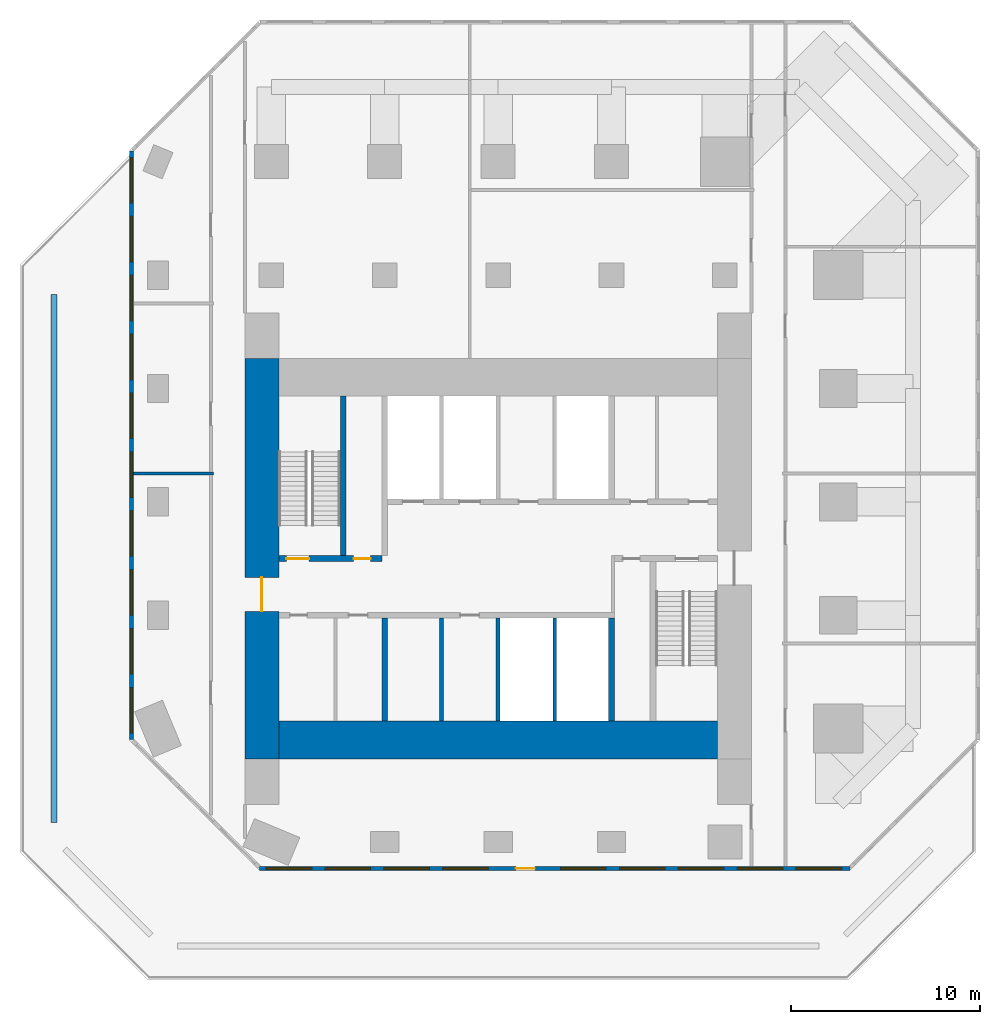
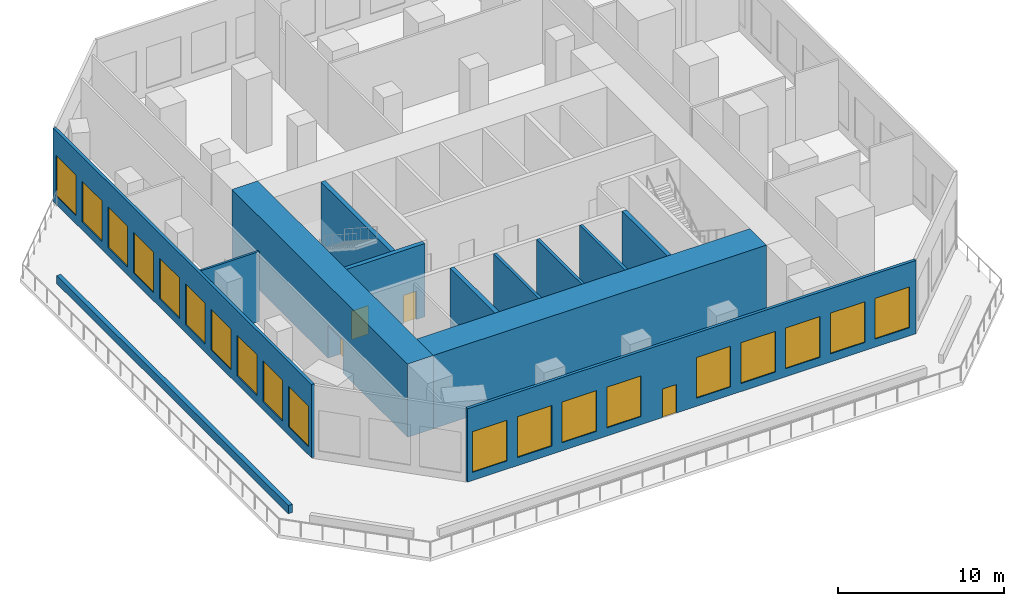
# One storey, part 2 of 7: 19 windows, 13 walls, 4 doors, 23 openings.
"""IFC4 building model written with IfcOpenShell, lengths in metres."""

from ifc_helpers import new_model, si_unit, direction, frame, frame_2d, origin, place, context, subcontext, project, spatial, rectangle, extrude, material, layer, layer_set, type_object, element, fill, save


model = new_model("IFC4")

# Units and contexts
model_context = context("Model", 3, precision=1e-05, world=origin(), true_north=direction((0.0, 1.0)))
body_context = subcontext(model_context, "Body", "Model", "MODEL_VIEW")
ifc_project = project(units=[si_unit("LENGTHUNIT", "METRE"), si_unit("AREAUNIT", "SQUARE_METRE"), si_unit("VOLUMEUNIT", "CUBIC_METRE"), si_unit("PLANEANGLEUNIT", "RADIAN"), si_unit("MASSUNIT", "GRAM", prefix="KILO")], contexts=[model_context])

# Site, building, storey
site_placement = place(None, origin())
site = spatial("IfcSite", under=ifc_project, at=site_placement, CompositionType="ELEMENT")
building_placement = place(site_placement, origin())
building = spatial("IfcBuilding", under=site, at=building_placement, Name="Highveld Stack Headquarters", CompositionType="ELEMENT")
storey_placement = place(building_placement, frame((0.0, 0.0, 164.0)))
storey = spatial("IfcBuildingStorey", under=building, at=storey_placement, Name="L40", CompositionType="ELEMENT", Elevation=164.0)

# Wall, opening, door
ifc_material_1 = material(Name="Concrete C60/75", Category="concrete")
ifc_layer_1 = layer(ifc_material_1, 1.800048828125)
ifc_layer_set_1 = layer_set([ifc_layer_1], Name="Concrete C60/75")
wall_type_1 = type_object("IfcWallType", Name="CORE WALL 1800 C60/75", PredefinedType="SHEAR", material=ifc_layer_set_1)
wall_1_placement = place(storey_placement, frame((-6.5, -7.60009765625, 0.0), z_axis=(0.0, 0.0, 1.0), x_axis=(0.0, 1.0, 0.0)))
wall_1 = element("IfcWall", 1, at=wall_1_placement, inside=storey, type_object=wall_type_1, Name="Core wall W L40", PredefinedType="SHEAR", context=body_context, shape_type="SweptSolid", body=[
    extrude(rectangle(XDim=21.2001953125, YDim=1.800048828125, at=frame_2d((10.60009765625, 0.0))), origin(), (0.0, 0.0, 1.0), 5.39990234375),
])
opening_1_placement = place(wall_1_placement, frame((7.800048828125, 0.0, 0.0)))
opening_1 = element("IfcOpeningElement", 2, at=opening_1_placement, cuts=wall_1, Name="Opening L40-02", PredefinedType="OPENING", context=body_context, shape_type="SweptSolid", body=[
    extrude(rectangle(XDim=1.800048828125, YDim=2.39990234375, at=frame_2d((0.89990234375, 1.199951171875))), frame((0.0, 0.909912109375, 0.0), z_axis=(0.0, -1.0, 0.0), x_axis=(1.0, 0.0, 0.0)), (0.0, 0.0, 1.0), 1.820068359375),
])
ifc_material_2 = material(Name="Steel fire door", Category="steel")
door_type_1 = type_object("IfcDoorType", Name="LOBBY FIRE DOOR D4 1800x2400", OperationType="DOUBLE_DOOR_SINGLE_SWING", PredefinedType="DOOR", material=ifc_material_2)
door_1_placement = place(opening_1_placement, origin())
door_1 = element("IfcDoor", 3, at=door_1_placement, inside=storey, type_object=door_type_1, Name="Core west door L40", OperationType="DOUBLE_DOOR_SINGLE_SWING", OverallHeight=2.39990234375, OverallWidth=1.800048828125, PredefinedType="DOOR", context=body_context, shape_type="SweptSolid", body=[
    extrude(rectangle(XDim=1.800048828125, YDim=2.39990234375, at=frame_2d((0.89990234375, 1.199951171875))), frame((0.0, 0.02490234375, 0.0), z_axis=(0.0, -1.0, 0.0), x_axis=(1.0, 0.0, 0.0)), (0.0, 0.0, 1.0), 0.050048828125),
])
fill(opening_1, door_1)

# Wall
ifc_material_3 = material(Name="Concrete C60/75", Category="concrete")
ifc_layer_2 = layer(ifc_material_3, 2.0)
ifc_layer_set_2 = layer_set([ifc_layer_2], Name="Concrete C60/75")
wall_type_2 = type_object("IfcWallType", Name="CORE WALL 2000 C60/75", PredefinedType="SHEAR", material=ifc_layer_set_2)
wall_2_placement = place(storey_placement, frame((-5.60009765625, -6.60009765625, 0.0), z_axis=(0.0, 0.0, 1.0), x_axis=(1.0, 0.0, 0.0)))
element("IfcWall", 4, at=wall_2_placement, inside=storey, type_object=wall_type_2, Name="Core wall S L40", PredefinedType="SHEAR", context=body_context, shape_type="SweptSolid", body=[
    extrude(rectangle(XDim=23.2001953125, YDim=2.0, at=frame_2d((11.60009765625, 0.0))), origin(), (0.0, 0.0, 1.0), 5.39990234375),
])

# Wall, openings, doors
ifc_material_4 = material(Name="Concrete C60/75", Category="concrete")
ifc_layer_3 = layer(ifc_material_4, 0.300048828125)
ifc_layer_set_3 = layer_set([ifc_layer_3], Name="Concrete C60/75")
wall_type_3 = type_object("IfcWallType", Name="CORE WALL 300 C60/75", PredefinedType="SHEAR", material=ifc_layer_set_3)
wall_3_placement = place(storey_placement, frame((-5.60009765625, 3.0, 0.0), z_axis=(0.0, 0.0, 1.0), x_axis=(1.0, 0.0, 0.0)))
wall_3 = element("IfcWall", 5, at=wall_3_placement, inside=storey, type_object=wall_type_3, Name="Core wall I-Y3W L40", PredefinedType="SHEAR", context=body_context, shape_type="SweptSolid", body=[
    extrude(rectangle(XDim=5.4501953125, YDim=0.300048828125, at=frame_2d((2.72509765625, 0.0))), origin(), (0.0, 0.0, 1.0), 5.39990234375),
])
opening_2_placement = place(wall_3_placement, frame((0.39990234375, 0.0, 0.0)))
opening_2 = element("IfcOpeningElement", 6, at=opening_2_placement, cuts=wall_3, Name="Opening L40-04", PredefinedType="OPENING", context=body_context, shape_type="SweptSolid", body=[
    extrude(rectangle(XDim=1.199951171875, YDim=2.10009765625, at=frame_2d((0.60009765625, 1.050048828125))), frame((0.0, 0.159912109375, 0.0), z_axis=(0.0, -1.0, 0.0), x_axis=(1.0, 0.0, 0.0)), (0.0, 0.0, 1.0), 0.320068359375),
])
opening_3_placement = place(wall_3_placement, frame((3.949951171875, 0.0, 0.0)))
opening_3 = element("IfcOpeningElement", 7, at=opening_3_placement, cuts=wall_3, Name="Opening L40-05", PredefinedType="OPENING", context=body_context, shape_type="SweptSolid", body=[
    extrude(rectangle(XDim=0.89990234375, YDim=2.10009765625, at=frame_2d((0.449951171875, 1.050048828125))), frame((0.0, 0.159912109375, 0.0), z_axis=(0.0, -1.0, 0.0), x_axis=(1.0, 0.0, 0.0)), (0.0, 0.0, 1.0), 0.320068359375),
])
ifc_material_5 = material(Name="Steel fire door", Category="steel")
door_type_2 = type_object("IfcDoorType", Name="RISER ACCESS DOOR D5 900x2100", OperationType="SINGLE_SWING_LEFT", PredefinedType="DOOR", material=ifc_material_5)
door_2_placement = place(opening_3_placement, origin())
door_2 = element("IfcDoor", 8, at=door_2_placement, inside=storey, type_object=door_type_2, Name="Riser R1 door L40", OperationType="SINGLE_SWING_RIGHT", OverallHeight=2.10009765625, OverallWidth=0.89990234375, PredefinedType="DOOR", context=body_context, shape_type="SweptSolid", body=[
    extrude(rectangle(XDim=0.89990234375, YDim=2.10009765625, at=frame_2d((0.449951171875, 1.050048828125))), frame((0.0, 0.02490234375, 0.0), z_axis=(0.0, -1.0, 0.0), x_axis=(1.0, 0.0, 0.0)), (0.0, 0.0, 1.0), 0.050048828125),
])
fill(opening_3, door_2)
ifc_material_6 = material(Name="Steel fire door", Category="steel")
door_type_3 = type_object("IfcDoorType", Name="STAIR FIRE DOOR D3 1200x2100", OperationType="SINGLE_SWING_LEFT", PredefinedType="DOOR", material=ifc_material_6)
door_3_placement = place(opening_2_placement, origin())
door_3 = element("IfcDoor", 9, at=door_3_placement, inside=storey, type_object=door_type_3, Name="Stair S1 door L40", OperationType="SINGLE_SWING_LEFT", OverallHeight=2.10009765625, OverallWidth=1.199951171875, PredefinedType="DOOR", context=body_context, shape_type="SweptSolid", body=[
    extrude(rectangle(XDim=1.199951171875, YDim=2.10009765625, at=frame_2d((0.60009765625, 1.050048828125))), frame((0.0, 0.02490234375, 0.0), z_axis=(0.0, -1.0, 0.0), x_axis=(1.0, 0.0, 0.0)), (0.0, 0.0, 1.0), 0.050048828125),
])
fill(opening_2, door_3)

# Walls
for number, where, z_axis, x_axis, name in (
    (10, (0.0, -5.60009765625, 0.0), (0.0, 0.0, 1.0), (0.0, 1.0, 0.0), "Core wall I-X0S L40"),
    (11, (12.0, -5.60009765625, 0.0), (0.0, 0.0, 1.0), (0.0, 1.0, 0.0), "Core wall I-X12S L40"),
):
    element("IfcWall", number, at=place(storey_placement, frame(where, z_axis=z_axis, x_axis=x_axis)), inside=storey, type_object=wall_type_3, Name=name, PredefinedType="SHEAR", context=body_context, shape_type="SweptSolid", body=[
        extrude(rectangle(XDim=5.4501953125, YDim=0.300048828125, at=frame_2d((2.72509765625, 0.0))), origin(), (0.0, 0.0, 1.0), 5.39990234375),
    ])
wall_4_placement = place(storey_placement, frame((-2.199951171875, 3.14990234375, 0.0), z_axis=(0.0, 0.0, 1.0), x_axis=(0.0, 1.0, 0.0)))
element("IfcWall", 12, at=wall_4_placement, inside=storey, type_object=wall_type_3, Name="Core wall I-RW L40", PredefinedType="SHEAR", context=body_context, shape_type="SweptSolid", body=[
    extrude(rectangle(XDim=8.4501953125, YDim=0.300048828125, at=frame_2d((4.22509765625, 0.0))), origin(), (0.0, 0.0, 1.0), 5.39990234375),
])
ifc_material_7 = material(Name="Concrete blockwork, plastered", Category="masonry")
ifc_layer_4 = layer(ifc_material_7, 0.14990234375)
ifc_layer_set_4 = layer_set([ifc_layer_4], Name="Concrete blockwork, plastered")
wall_type_4 = type_object("IfcWallType", Name="FIRE PARTITION 150 BLOCKWORK", PredefinedType="PARTITIONING", material=ifc_layer_set_4)
wall_5_placement = place(storey_placement, frame((-13.300048828125, 7.5, 0.0), z_axis=(0.0, 0.0, 1.0), x_axis=(1.0, 0.0, 0.0)))
element("IfcWall", 13, at=wall_5_placement, inside=storey, type_object=wall_type_4, Name="Partition office neighbourhood L40", PredefinedType="PARTITIONING", context=body_context, shape_type="SweptSolid", body=[
    extrude(rectangle(XDim=4.25, YDim=0.14990234375, at=frame_2d((2.125, 0.0))), origin(), (0.0, 0.0, 1.0), 5.14990234375),
])
ifc_material_8 = material(Name="Concrete blockwork, fair-faced", Category="masonry")
ifc_layer_5 = layer(ifc_material_8, 0.199951171875)
ifc_layer_set_5 = layer_set([ifc_layer_5], Name="Concrete blockwork, fair-faced")
wall_type_5 = type_object("IfcWallType", Name="LIFT SHAFT ENCLOSURE WALL 200 BLOCKWORK", PredefinedType="SOLIDWALL", material=ifc_layer_set_5)
for number, where, z_axis, x_axis, name in (
    (14, (3.0, -5.60009765625, 0.0), (0.0, 0.0, 1.0), (0.0, 1.0, 0.0), "Lift shaft wall L40"),
    (15, (6.0, -5.60009765625, 0.0), (0.0, 0.0, 1.0), (0.0, 1.0, 0.0), "Lift shaft wall L40"),
    (16, (9.0, -5.60009765625, 0.0), (0.0, 0.0, 1.0), (0.0, 1.0, 0.0), "Lift shaft wall L40"),
):
    element("IfcWall", number, at=place(storey_placement, frame(where, z_axis=z_axis, x_axis=x_axis)), inside=storey, type_object=wall_type_5, Name=name, PredefinedType="SOLIDWALL", context=body_context, shape_type="SweptSolid", body=[
        extrude(rectangle(XDim=5.4501953125, YDim=0.199951171875, at=frame_2d((2.72509765625, 0.0))), origin(), (0.0, 0.0, 1.0), 5.39990234375),
    ])
ifc_material_9 = material(Name="Concrete C40/50, precast planter", Category="concrete")
ifc_layer_6 = layer(ifc_material_9, 0.300048828125)
ifc_layer_set_6 = layer_set([ifc_layer_6], Name="Concrete C40/50, precast planter")
wall_type_6 = type_object("IfcWallType", Name="PLANTER WALL PL1 300", PredefinedType="USERDEFINED", material=ifc_layer_set_6)
wall_6_placement = place(storey_placement, frame((-17.5, -10.976318359375, 0.0), z_axis=(0.0, 0.0, 1.0), x_axis=(0.0, 1.0, 0.0)))
element("IfcWall", 17, at=wall_6_placement, inside=storey, type_object=wall_type_6, Name="Planter L40 1.5", ObjectType="PLANTER", PredefinedType="USERDEFINED", context=body_context, shape_type="SweptSolid", body=[
    extrude(rectangle(XDim=27.95263671875, YDim=0.300048828125, at=frame_2d((13.976318359375, 0.0))), origin(), (0.0, 0.0, 1.0), 0.60009765625),
])

# Wall, openings, windows, door
ifc_material_10 = material(Name="Concrete C40/50, precast cladding", Category="concrete")
ifc_layer_7 = layer(ifc_material_10, 0.199951171875)
ifc_layer_set_7 = layer_set([ifc_layer_7], Name="Concrete C40/50, precast cladding")
wall_type_7 = type_object("IfcWallType", Name="PRECAST LOUVRE WALL 200", PredefinedType="USERDEFINED", material=ifc_layer_set_7)
wall_7_placement = place(storey_placement, frame((-6.6298828125, -13.39990234375, 0.0), z_axis=(0.0, 0.0, 1.0), x_axis=(1.0, 0.0, 0.0)))
wall_7 = element("IfcWall", 18, at=wall_7_placement, inside=storey, type_object=wall_type_7, Name="Precast louvre wall L40 S", ObjectType="PRECAST CLADDING", PredefinedType="USERDEFINED", context=body_context, shape_type="SweptSolid", body=[
    extrude(rectangle(XDim=31.259765625, YDim=0.199951171875, at=frame_2d((15.6298828125, 0.0))), origin(), (0.0, 0.0, 1.0), 5.39990234375),
])
opening_4_placement = place(wall_7_placement, frame((0.35791015625, 0.0, 0.60009765625)))
opening_4 = element("IfcOpeningElement", 19, at=opening_4_placement, cuts=wall_7, Name="Opening L1", PredefinedType="OPENING", context=body_context, shape_type="SweptSolid", body=[
    extrude(rectangle(XDim=2.39990234375, YDim=3.0, at=frame_2d((1.199951171875, 1.5))), frame((0.0, 0.10986328125, 0.0), z_axis=(0.0, -1.0, 0.0), x_axis=(1.0, 0.0, 0.0)), (0.0, 0.0, 1.0), 0.219970703125),
])
opening_5_placement = place(wall_7_placement, frame((3.47412109375, 0.0, 0.60009765625)))
opening_5 = element("IfcOpeningElement", 20, at=opening_5_placement, cuts=wall_7, Name="Opening L1", PredefinedType="OPENING", context=body_context, shape_type="SweptSolid", body=[
    extrude(rectangle(XDim=2.39990234375, YDim=3.0, at=frame_2d((1.199951171875, 1.5))), frame((0.0, 0.10986328125, 0.0), z_axis=(0.0, -1.0, 0.0), x_axis=(1.0, 0.0, 0.0)), (0.0, 0.0, 1.0), 0.219970703125),
])
opening_6_placement = place(wall_7_placement, frame((6.58984375, 0.0, 0.60009765625)))
opening_6 = element("IfcOpeningElement", 21, at=opening_6_placement, cuts=wall_7, Name="Opening L1", PredefinedType="OPENING", context=body_context, shape_type="SweptSolid", body=[
    extrude(rectangle(XDim=2.39990234375, YDim=3.0, at=frame_2d((1.199951171875, 1.5))), frame((0.0, 0.10986328125, 0.0), z_axis=(0.0, -1.0, 0.0), x_axis=(1.0, 0.0, 0.0)), (0.0, 0.0, 1.0), 0.219970703125),
])
opening_7_placement = place(wall_7_placement, frame((9.705810546875, 0.0, 0.60009765625)))
opening_7 = element("IfcOpeningElement", 22, at=opening_7_placement, cuts=wall_7, Name="Opening L1", PredefinedType="OPENING", context=body_context, shape_type="SweptSolid", body=[
    extrude(rectangle(XDim=2.39990234375, YDim=3.0, at=frame_2d((1.199951171875, 1.5))), frame((0.0, 0.10986328125, 0.0), z_axis=(0.0, -1.0, 0.0), x_axis=(1.0, 0.0, 0.0)), (0.0, 0.0, 1.0), 0.219970703125),
])
opening_8_placement = place(wall_7_placement, frame((13.572021484375, 0.0, 0.0)))
opening_8 = element("IfcOpeningElement", 23, at=opening_8_placement, cuts=wall_7, Name="Opening L40-01", PredefinedType="OPENING", context=body_context, shape_type="SweptSolid", body=[
    extrude(rectangle(XDim=1.0, YDim=2.10009765625, at=frame_2d((0.5, 1.050048828125))), frame((0.0, 0.10986328125, 0.0), z_axis=(0.0, -1.0, 0.0), x_axis=(1.0, 0.0, 0.0)), (0.0, 0.0, 1.0), 0.219970703125),
])
opening_9_placement = place(wall_7_placement, frame((15.93798828125, 0.0, 0.60009765625)))
opening_9 = element("IfcOpeningElement", 24, at=opening_9_placement, cuts=wall_7, Name="Opening L1", PredefinedType="OPENING", context=body_context, shape_type="SweptSolid", body=[
    extrude(rectangle(XDim=2.39990234375, YDim=3.0, at=frame_2d((1.199951171875, 1.5))), frame((0.0, 0.10986328125, 0.0), z_axis=(0.0, -1.0, 0.0), x_axis=(1.0, 0.0, 0.0)), (0.0, 0.0, 1.0), 0.219970703125),
])
opening_10_placement = place(wall_7_placement, frame((19.053955078125, 0.0, 0.60009765625)))
opening_10 = element("IfcOpeningElement", 25, at=opening_10_placement, cuts=wall_7, Name="Opening L1", PredefinedType="OPENING", context=body_context, shape_type="SweptSolid", body=[
    extrude(rectangle(XDim=2.39990234375, YDim=3.0, at=frame_2d((1.199951171875, 1.5))), frame((0.0, 0.10986328125, 0.0), z_axis=(0.0, -1.0, 0.0), x_axis=(1.0, 0.0, 0.0)), (0.0, 0.0, 1.0), 0.219970703125),
])
opening_11_placement = place(wall_7_placement, frame((22.169921875, 0.0, 0.60009765625)))
opening_11 = element("IfcOpeningElement", 26, at=opening_11_placement, cuts=wall_7, Name="Opening L1", PredefinedType="OPENING", context=body_context, shape_type="SweptSolid", body=[
    extrude(rectangle(XDim=2.39990234375, YDim=3.0, at=frame_2d((1.199951171875, 1.5))), frame((0.0, 0.10986328125, 0.0), z_axis=(0.0, -1.0, 0.0), x_axis=(1.0, 0.0, 0.0)), (0.0, 0.0, 1.0), 0.219970703125),
])
opening_12_placement = place(wall_7_placement, frame((25.285888671875, 0.0, 0.60009765625)))
opening_12 = element("IfcOpeningElement", 27, at=opening_12_placement, cuts=wall_7, Name="Opening L1", PredefinedType="OPENING", context=body_context, shape_type="SweptSolid", body=[
    extrude(rectangle(XDim=2.39990234375, YDim=3.0, at=frame_2d((1.199951171875, 1.5))), frame((0.0, 0.10986328125, 0.0), z_axis=(0.0, -1.0, 0.0), x_axis=(1.0, 0.0, 0.0)), (0.0, 0.0, 1.0), 0.219970703125),
])
opening_13_placement = place(wall_7_placement, frame((28.40185546875, 0.0, 0.60009765625)))
opening_13 = element("IfcOpeningElement", 28, at=opening_13_placement, cuts=wall_7, Name="Opening L1", PredefinedType="OPENING", context=body_context, shape_type="SweptSolid", body=[
    extrude(rectangle(XDim=2.39990234375, YDim=3.0, at=frame_2d((1.199951171875, 1.5))), frame((0.0, 0.10986328125, 0.0), z_axis=(0.0, -1.0, 0.0), x_axis=(1.0, 0.0, 0.0)), (0.0, 0.0, 1.0), 0.219970703125),
])
ifc_material_11 = material(Name="Aluminium bronze anodised", Category="aluminium")
window_type = type_object("IfcWindowType", Name="LOUVRE L1 2400x3000", PartitioningType="SINGLE_PANEL", PredefinedType="USERDEFINED", material=ifc_material_11)
window_1_placement = place(opening_4_placement, origin())
window_1 = element("IfcWindow", 29, at=window_1_placement, inside=storey, type_object=window_type, Name="Louvre L40 S 1", ObjectType="LOUVRE", OverallHeight=3.0, OverallWidth=2.39990234375, PartitioningType="SINGLE_PANEL", PredefinedType="USERDEFINED", context=body_context, shape_type="SweptSolid", body=[
    extrude(rectangle(XDim=2.39990234375, YDim=3.0, at=frame_2d((1.199951171875, 1.5))), frame((0.0, 0.030029296875, 0.0), z_axis=(0.0, -1.0, 0.0), x_axis=(1.0, 0.0, 0.0)), (0.0, 0.0, 1.0), 0.06005859375),
])
fill(opening_4, window_1)
window_2_placement = place(opening_5_placement, origin())
window_2 = element("IfcWindow", 30, at=window_2_placement, inside=storey, type_object=window_type, Name="Louvre L40 S 2", ObjectType="LOUVRE", OverallHeight=3.0, OverallWidth=2.39990234375, PartitioningType="SINGLE_PANEL", PredefinedType="USERDEFINED", context=body_context, shape_type="SweptSolid", body=[
    extrude(rectangle(XDim=2.39990234375, YDim=3.0, at=frame_2d((1.199951171875, 1.5))), frame((0.0, 0.030029296875, 0.0), z_axis=(0.0, -1.0, 0.0), x_axis=(1.0, 0.0, 0.0)), (0.0, 0.0, 1.0), 0.06005859375),
])
fill(opening_5, window_2)
window_3_placement = place(opening_6_placement, origin())
window_3 = element("IfcWindow", 31, at=window_3_placement, inside=storey, type_object=window_type, Name="Louvre L40 S 3", ObjectType="LOUVRE", OverallHeight=3.0, OverallWidth=2.39990234375, PartitioningType="SINGLE_PANEL", PredefinedType="USERDEFINED", context=body_context, shape_type="SweptSolid", body=[
    extrude(rectangle(XDim=2.39990234375, YDim=3.0, at=frame_2d((1.199951171875, 1.5))), frame((0.0, 0.030029296875, 0.0), z_axis=(0.0, -1.0, 0.0), x_axis=(1.0, 0.0, 0.0)), (0.0, 0.0, 1.0), 0.06005859375),
])
fill(opening_6, window_3)
window_4_placement = place(opening_7_placement, origin())
window_4 = element("IfcWindow", 32, at=window_4_placement, inside=storey, type_object=window_type, Name="Louvre L40 S 4", ObjectType="LOUVRE", OverallHeight=3.0, OverallWidth=2.39990234375, PartitioningType="SINGLE_PANEL", PredefinedType="USERDEFINED", context=body_context, shape_type="SweptSolid", body=[
    extrude(rectangle(XDim=2.39990234375, YDim=3.0, at=frame_2d((1.199951171875, 1.5))), frame((0.0, 0.030029296875, 0.0), z_axis=(0.0, -1.0, 0.0), x_axis=(1.0, 0.0, 0.0)), (0.0, 0.0, 1.0), 0.06005859375),
])
fill(opening_7, window_4)
window_5_placement = place(opening_9_placement, origin())
window_5 = element("IfcWindow", 33, at=window_5_placement, inside=storey, type_object=window_type, Name="Louvre L40 S 6", ObjectType="LOUVRE", OverallHeight=3.0, OverallWidth=2.39990234375, PartitioningType="SINGLE_PANEL", PredefinedType="USERDEFINED", context=body_context, shape_type="SweptSolid", body=[
    extrude(rectangle(XDim=2.39990234375, YDim=3.0, at=frame_2d((1.199951171875, 1.5))), frame((0.0, 0.030029296875, 0.0), z_axis=(0.0, -1.0, 0.0), x_axis=(1.0, 0.0, 0.0)), (0.0, 0.0, 1.0), 0.06005859375),
])
fill(opening_9, window_5)
window_6_placement = place(opening_10_placement, origin())
window_6 = element("IfcWindow", 34, at=window_6_placement, inside=storey, type_object=window_type, Name="Louvre L40 S 7", ObjectType="LOUVRE", OverallHeight=3.0, OverallWidth=2.39990234375, PartitioningType="SINGLE_PANEL", PredefinedType="USERDEFINED", context=body_context, shape_type="SweptSolid", body=[
    extrude(rectangle(XDim=2.39990234375, YDim=3.0, at=frame_2d((1.199951171875, 1.5))), frame((0.0, 0.030029296875, 0.0), z_axis=(0.0, -1.0, 0.0), x_axis=(1.0, 0.0, 0.0)), (0.0, 0.0, 1.0), 0.06005859375),
])
fill(opening_10, window_6)
window_7_placement = place(opening_11_placement, origin())
window_7 = element("IfcWindow", 35, at=window_7_placement, inside=storey, type_object=window_type, Name="Louvre L40 S 8", ObjectType="LOUVRE", OverallHeight=3.0, OverallWidth=2.39990234375, PartitioningType="SINGLE_PANEL", PredefinedType="USERDEFINED", context=body_context, shape_type="SweptSolid", body=[
    extrude(rectangle(XDim=2.39990234375, YDim=3.0, at=frame_2d((1.199951171875, 1.5))), frame((0.0, 0.030029296875, 0.0), z_axis=(0.0, -1.0, 0.0), x_axis=(1.0, 0.0, 0.0)), (0.0, 0.0, 1.0), 0.06005859375),
])
fill(opening_11, window_7)
window_8_placement = place(opening_12_placement, origin())
window_8 = element("IfcWindow", 36, at=window_8_placement, inside=storey, type_object=window_type, Name="Louvre L40 S 9", ObjectType="LOUVRE", OverallHeight=3.0, OverallWidth=2.39990234375, PartitioningType="SINGLE_PANEL", PredefinedType="USERDEFINED", context=body_context, shape_type="SweptSolid", body=[
    extrude(rectangle(XDim=2.39990234375, YDim=3.0, at=frame_2d((1.199951171875, 1.5))), frame((0.0, 0.030029296875, 0.0), z_axis=(0.0, -1.0, 0.0), x_axis=(1.0, 0.0, 0.0)), (0.0, 0.0, 1.0), 0.06005859375),
])
fill(opening_12, window_8)
window_9_placement = place(opening_13_placement, origin())
window_9 = element("IfcWindow", 37, at=window_9_placement, inside=storey, type_object=window_type, Name="Louvre L40 S 10", ObjectType="LOUVRE", OverallHeight=3.0, OverallWidth=2.39990234375, PartitioningType="SINGLE_PANEL", PredefinedType="USERDEFINED", context=body_context, shape_type="SweptSolid", body=[
    extrude(rectangle(XDim=2.39990234375, YDim=3.0, at=frame_2d((1.199951171875, 1.5))), frame((0.0, 0.030029296875, 0.0), z_axis=(0.0, -1.0, 0.0), x_axis=(1.0, 0.0, 0.0)), (0.0, 0.0, 1.0), 0.06005859375),
])
fill(opening_13, window_9)
ifc_material_12 = material(Name="Galvanised steel louvred door, weather-sealed", Category="steel")
door_type_4 = type_object("IfcDoorType", Name="PLANT ROOF DOOR D13 1000x2100", OperationType="SINGLE_SWING_RIGHT", PredefinedType="DOOR", material=ifc_material_12)
door_4_placement = place(opening_8_placement, origin())
door_4 = element("IfcDoor", 38, at=door_4_placement, inside=storey, type_object=door_type_4, Name="Planted roof door L40 S", OperationType="SINGLE_SWING_LEFT", OverallHeight=2.10009765625, OverallWidth=1.0, PredefinedType="DOOR", context=body_context, shape_type="SweptSolid", body=[
    extrude(rectangle(XDim=1.0, YDim=2.10009765625, at=frame_2d((0.5, 1.050048828125))), frame((0.0, 0.02490234375, 0.0), z_axis=(0.0, -1.0, 0.0), x_axis=(1.0, 0.0, 0.0)), (0.0, 0.0, 1.0), 0.050048828125),
])
fill(opening_8, door_4)

# Wall, openings, windows
wall_8_placement = place(storey_placement, frame((-13.39990234375, 24.579833984375, 0.0), z_axis=(0.0, 0.0, 1.0), x_axis=(0.0, -1.0, 0.0)))
wall_8 = element("IfcWall", 39, at=wall_8_placement, inside=storey, type_object=wall_type_7, Name="Precast louvre wall L40 W", ObjectType="PRECAST CLADDING", PredefinedType="USERDEFINED", context=body_context, shape_type="SweptSolid", body=[
    extrude(rectangle(XDim=31.15966796875, YDim=0.199951171875, at=frame_2d((15.579833984375, 0.0))), origin(), (0.0, 0.0, 1.0), 5.39990234375),
])
opening_14_placement = place(wall_8_placement, frame((0.35791015625, 0.0, 0.60009765625)))
opening_14 = element("IfcOpeningElement", 40, at=opening_14_placement, cuts=wall_8, Name="Opening L1", PredefinedType="OPENING", context=body_context, shape_type="SweptSolid", body=[
    extrude(rectangle(XDim=2.39990234375, YDim=3.0, at=frame_2d((1.199951171875, 1.5))), frame((0.0, 0.10986328125, 0.0), z_axis=(0.0, -1.0, 0.0), x_axis=(1.0, 0.0, 0.0)), (0.0, 0.0, 1.0), 0.219970703125),
])
opening_15_placement = place(wall_8_placement, frame((3.47412109375, 0.0, 0.60009765625)))
opening_15 = element("IfcOpeningElement", 41, at=opening_15_placement, cuts=wall_8, Name="Opening L1", PredefinedType="OPENING", context=body_context, shape_type="SweptSolid", body=[
    extrude(rectangle(XDim=2.39990234375, YDim=3.0, at=frame_2d((1.199951171875, 1.5))), frame((0.0, 0.10986328125, 0.0), z_axis=(0.0, -1.0, 0.0), x_axis=(1.0, 0.0, 0.0)), (0.0, 0.0, 1.0), 0.219970703125),
])
opening_16_placement = place(wall_8_placement, frame((6.58984375, 0.0, 0.60009765625)))
opening_16 = element("IfcOpeningElement", 42, at=opening_16_placement, cuts=wall_8, Name="Opening L1", PredefinedType="OPENING", context=body_context, shape_type="SweptSolid", body=[
    extrude(rectangle(XDim=2.39990234375, YDim=3.0, at=frame_2d((1.199951171875, 1.5))), frame((0.0, 0.10986328125, 0.0), z_axis=(0.0, -1.0, 0.0), x_axis=(1.0, 0.0, 0.0)), (0.0, 0.0, 1.0), 0.219970703125),
])
opening_17_placement = place(wall_8_placement, frame((9.705810546875, 0.0, 0.60009765625)))
opening_17 = element("IfcOpeningElement", 43, at=opening_17_placement, cuts=wall_8, Name="Opening L1", PredefinedType="OPENING", context=body_context, shape_type="SweptSolid", body=[
    extrude(rectangle(XDim=2.39990234375, YDim=3.0, at=frame_2d((1.199951171875, 1.5))), frame((0.0, 0.10986328125, 0.0), z_axis=(0.0, -1.0, 0.0), x_axis=(1.0, 0.0, 0.0)), (0.0, 0.0, 1.0), 0.219970703125),
])
opening_18_placement = place(wall_8_placement, frame((12.822021484375, 0.0, 0.60009765625)))
opening_18 = element("IfcOpeningElement", 44, at=opening_18_placement, cuts=wall_8, Name="Opening L1", PredefinedType="OPENING", context=body_context, shape_type="SweptSolid", body=[
    extrude(rectangle(XDim=2.39990234375, YDim=3.0, at=frame_2d((1.199951171875, 1.5))), frame((0.0, 0.10986328125, 0.0), z_axis=(0.0, -1.0, 0.0), x_axis=(1.0, 0.0, 0.0)), (0.0, 0.0, 1.0), 0.219970703125),
])
opening_19_placement = place(wall_8_placement, frame((15.93798828125, 0.0, 0.60009765625)))
opening_19 = element("IfcOpeningElement", 45, at=opening_19_placement, cuts=wall_8, Name="Opening L1", PredefinedType="OPENING", context=body_context, shape_type="SweptSolid", body=[
    extrude(rectangle(XDim=2.39990234375, YDim=3.0, at=frame_2d((1.199951171875, 1.5))), frame((0.0, 0.10986328125, 0.0), z_axis=(0.0, -1.0, 0.0), x_axis=(1.0, 0.0, 0.0)), (0.0, 0.0, 1.0), 0.219970703125),
])
opening_20_placement = place(wall_8_placement, frame((19.053955078125, 0.0, 0.60009765625)))
opening_20 = element("IfcOpeningElement", 46, at=opening_20_placement, cuts=wall_8, Name="Opening L1", PredefinedType="OPENING", context=body_context, shape_type="SweptSolid", body=[
    extrude(rectangle(XDim=2.39990234375, YDim=3.0, at=frame_2d((1.199951171875, 1.5))), frame((0.0, 0.10986328125, 0.0), z_axis=(0.0, -1.0, 0.0), x_axis=(1.0, 0.0, 0.0)), (0.0, 0.0, 1.0), 0.219970703125),
])
opening_21_placement = place(wall_8_placement, frame((22.169921875, 0.0, 0.60009765625)))
opening_21 = element("IfcOpeningElement", 47, at=opening_21_placement, cuts=wall_8, Name="Opening L1", PredefinedType="OPENING", context=body_context, shape_type="SweptSolid", body=[
    extrude(rectangle(XDim=2.39990234375, YDim=3.0, at=frame_2d((1.199951171875, 1.5))), frame((0.0, 0.10986328125, 0.0), z_axis=(0.0, -1.0, 0.0), x_axis=(1.0, 0.0, 0.0)), (0.0, 0.0, 1.0), 0.219970703125),
])
opening_22_placement = place(wall_8_placement, frame((25.285888671875, 0.0, 0.60009765625)))
opening_22 = element("IfcOpeningElement", 48, at=opening_22_placement, cuts=wall_8, Name="Opening L1", PredefinedType="OPENING", context=body_context, shape_type="SweptSolid", body=[
    extrude(rectangle(XDim=2.39990234375, YDim=3.0, at=frame_2d((1.199951171875, 1.5))), frame((0.0, 0.10986328125, 0.0), z_axis=(0.0, -1.0, 0.0), x_axis=(1.0, 0.0, 0.0)), (0.0, 0.0, 1.0), 0.219970703125),
])
opening_23_placement = place(wall_8_placement, frame((28.40185546875, 0.0, 0.60009765625)))
opening_23 = element("IfcOpeningElement", 49, at=opening_23_placement, cuts=wall_8, Name="Opening L1", PredefinedType="OPENING", context=body_context, shape_type="SweptSolid", body=[
    extrude(rectangle(XDim=2.39990234375, YDim=3.0, at=frame_2d((1.199951171875, 1.5))), frame((0.0, 0.10986328125, 0.0), z_axis=(0.0, -1.0, 0.0), x_axis=(1.0, 0.0, 0.0)), (0.0, 0.0, 1.0), 0.219970703125),
])
window_10_placement = place(opening_14_placement, origin())
window_10 = element("IfcWindow", 50, at=window_10_placement, inside=storey, type_object=window_type, Name="Louvre L40 W 1", ObjectType="LOUVRE", OverallHeight=3.0, OverallWidth=2.39990234375, PartitioningType="SINGLE_PANEL", PredefinedType="USERDEFINED", context=body_context, shape_type="SweptSolid", body=[
    extrude(rectangle(XDim=2.39990234375, YDim=3.0, at=frame_2d((1.199951171875, 1.5))), frame((0.0, 0.030029296875, 0.0), z_axis=(0.0, -1.0, 0.0), x_axis=(1.0, 0.0, 0.0)), (0.0, 0.0, 1.0), 0.06005859375),
])
fill(opening_14, window_10)
window_11_placement = place(opening_15_placement, origin())
window_11 = element("IfcWindow", 51, at=window_11_placement, inside=storey, type_object=window_type, Name="Louvre L40 W 2", ObjectType="LOUVRE", OverallHeight=3.0, OverallWidth=2.39990234375, PartitioningType="SINGLE_PANEL", PredefinedType="USERDEFINED", context=body_context, shape_type="SweptSolid", body=[
    extrude(rectangle(XDim=2.39990234375, YDim=3.0, at=frame_2d((1.199951171875, 1.5))), frame((0.0, 0.030029296875, 0.0), z_axis=(0.0, -1.0, 0.0), x_axis=(1.0, 0.0, 0.0)), (0.0, 0.0, 1.0), 0.06005859375),
])
fill(opening_15, window_11)
window_12_placement = place(opening_16_placement, origin())
window_12 = element("IfcWindow", 52, at=window_12_placement, inside=storey, type_object=window_type, Name="Louvre L40 W 3", ObjectType="LOUVRE", OverallHeight=3.0, OverallWidth=2.39990234375, PartitioningType="SINGLE_PANEL", PredefinedType="USERDEFINED", context=body_context, shape_type="SweptSolid", body=[
    extrude(rectangle(XDim=2.39990234375, YDim=3.0, at=frame_2d((1.199951171875, 1.5))), frame((0.0, 0.030029296875, 0.0), z_axis=(0.0, -1.0, 0.0), x_axis=(1.0, 0.0, 0.0)), (0.0, 0.0, 1.0), 0.06005859375),
])
fill(opening_16, window_12)
window_13_placement = place(opening_17_placement, origin())
window_13 = element("IfcWindow", 53, at=window_13_placement, inside=storey, type_object=window_type, Name="Louvre L40 W 4", ObjectType="LOUVRE", OverallHeight=3.0, OverallWidth=2.39990234375, PartitioningType="SINGLE_PANEL", PredefinedType="USERDEFINED", context=body_context, shape_type="SweptSolid", body=[
    extrude(rectangle(XDim=2.39990234375, YDim=3.0, at=frame_2d((1.199951171875, 1.5))), frame((0.0, 0.030029296875, 0.0), z_axis=(0.0, -1.0, 0.0), x_axis=(1.0, 0.0, 0.0)), (0.0, 0.0, 1.0), 0.06005859375),
])
fill(opening_17, window_13)
window_14_placement = place(opening_18_placement, origin())
window_14 = element("IfcWindow", 54, at=window_14_placement, inside=storey, type_object=window_type, Name="Louvre L40 W 5", ObjectType="LOUVRE", OverallHeight=3.0, OverallWidth=2.39990234375, PartitioningType="SINGLE_PANEL", PredefinedType="USERDEFINED", context=body_context, shape_type="SweptSolid", body=[
    extrude(rectangle(XDim=2.39990234375, YDim=3.0, at=frame_2d((1.199951171875, 1.5))), frame((0.0, 0.030029296875, 0.0), z_axis=(0.0, -1.0, 0.0), x_axis=(1.0, 0.0, 0.0)), (0.0, 0.0, 1.0), 0.06005859375),
])
fill(opening_18, window_14)
window_15_placement = place(opening_19_placement, origin())
window_15 = element("IfcWindow", 55, at=window_15_placement, inside=storey, type_object=window_type, Name="Louvre L40 W 6", ObjectType="LOUVRE", OverallHeight=3.0, OverallWidth=2.39990234375, PartitioningType="SINGLE_PANEL", PredefinedType="USERDEFINED", context=body_context, shape_type="SweptSolid", body=[
    extrude(rectangle(XDim=2.39990234375, YDim=3.0, at=frame_2d((1.199951171875, 1.5))), frame((0.0, 0.030029296875, 0.0), z_axis=(0.0, -1.0, 0.0), x_axis=(1.0, 0.0, 0.0)), (0.0, 0.0, 1.0), 0.06005859375),
])
fill(opening_19, window_15)
window_16_placement = place(opening_20_placement, origin())
window_16 = element("IfcWindow", 56, at=window_16_placement, inside=storey, type_object=window_type, Name="Louvre L40 W 7", ObjectType="LOUVRE", OverallHeight=3.0, OverallWidth=2.39990234375, PartitioningType="SINGLE_PANEL", PredefinedType="USERDEFINED", context=body_context, shape_type="SweptSolid", body=[
    extrude(rectangle(XDim=2.39990234375, YDim=3.0, at=frame_2d((1.199951171875, 1.5))), frame((0.0, 0.030029296875, 0.0), z_axis=(0.0, -1.0, 0.0), x_axis=(1.0, 0.0, 0.0)), (0.0, 0.0, 1.0), 0.06005859375),
])
fill(opening_20, window_16)
window_17_placement = place(opening_21_placement, origin())
window_17 = element("IfcWindow", 57, at=window_17_placement, inside=storey, type_object=window_type, Name="Louvre L40 W 8", ObjectType="LOUVRE", OverallHeight=3.0, OverallWidth=2.39990234375, PartitioningType="SINGLE_PANEL", PredefinedType="USERDEFINED", context=body_context, shape_type="SweptSolid", body=[
    extrude(rectangle(XDim=2.39990234375, YDim=3.0, at=frame_2d((1.199951171875, 1.5))), frame((0.0, 0.030029296875, 0.0), z_axis=(0.0, -1.0, 0.0), x_axis=(1.0, 0.0, 0.0)), (0.0, 0.0, 1.0), 0.06005859375),
])
fill(opening_21, window_17)
window_18_placement = place(opening_22_placement, origin())
window_18 = element("IfcWindow", 58, at=window_18_placement, inside=storey, type_object=window_type, Name="Louvre L40 W 9", ObjectType="LOUVRE", OverallHeight=3.0, OverallWidth=2.39990234375, PartitioningType="SINGLE_PANEL", PredefinedType="USERDEFINED", context=body_context, shape_type="SweptSolid", body=[
    extrude(rectangle(XDim=2.39990234375, YDim=3.0, at=frame_2d((1.199951171875, 1.5))), frame((0.0, 0.030029296875, 0.0), z_axis=(0.0, -1.0, 0.0), x_axis=(1.0, 0.0, 0.0)), (0.0, 0.0, 1.0), 0.06005859375),
])
fill(opening_22, window_18)
window_19_placement = place(opening_23_placement, origin())
window_19 = element("IfcWindow", 59, at=window_19_placement, inside=storey, type_object=window_type, Name="Louvre L40 W 10", ObjectType="LOUVRE", OverallHeight=3.0, OverallWidth=2.39990234375, PartitioningType="SINGLE_PANEL", PredefinedType="USERDEFINED", context=body_context, shape_type="SweptSolid", body=[
    extrude(rectangle(XDim=2.39990234375, YDim=3.0, at=frame_2d((1.199951171875, 1.5))), frame((0.0, 0.030029296875, 0.0), z_axis=(0.0, -1.0, 0.0), x_axis=(1.0, 0.0, 0.0)), (0.0, 0.0, 1.0), 0.06005859375),
])
fill(opening_23, window_19)

save(model, "model.ifc")
